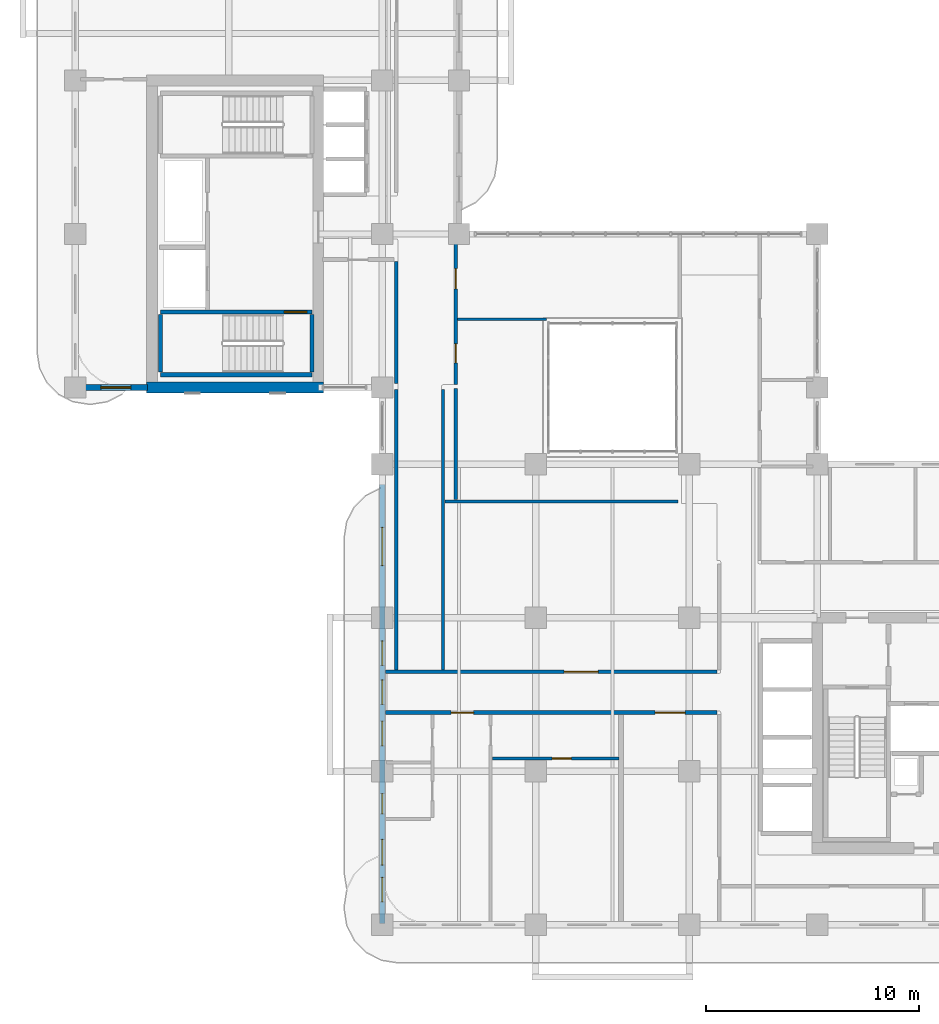
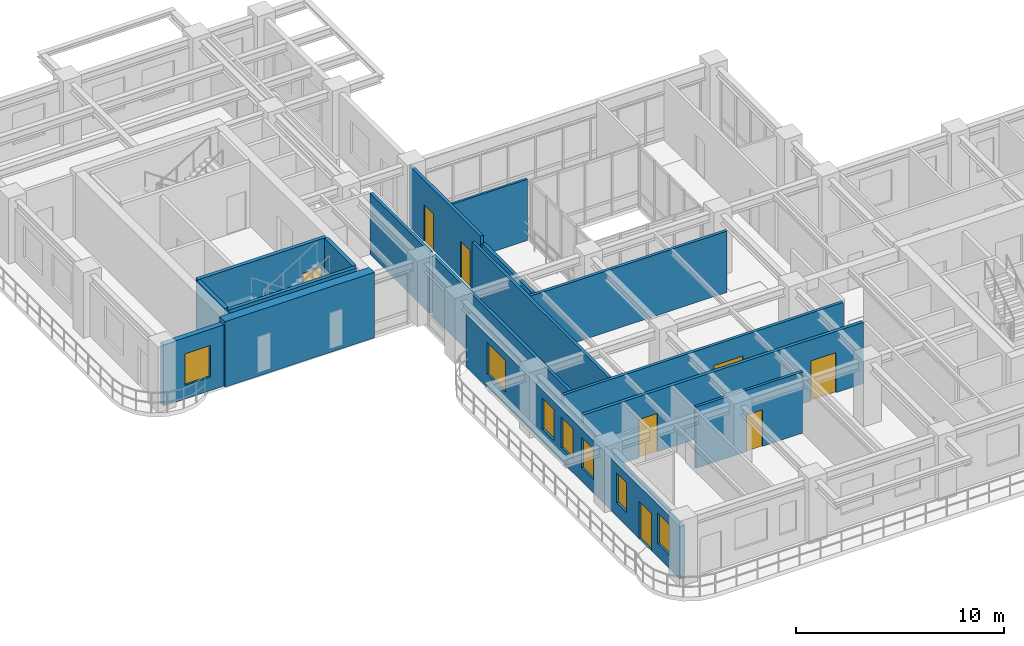
# One storey, part 11 of 19: 17 walls, 8 doors, 7 windows, 15 openings.
"""IFC4 building model written with IfcOpenShell, lengths in metres."""

from ifc_helpers import new_model, si_unit, derived_unit, direction, frame, frame_2d, origin, place, context, subcontext, project, spatial, rectangle, extrude, source, transform, mapped, material, layer, layer_set, type_object, type_shapes, element, fill, save


model = new_model("IFC4")

# Units and contexts
model_context = context("Model", 3, precision=1e-05, world=origin(), true_north=direction((0.0, 1.0)))
body_context = subcontext(model_context, "Body", "Model", "MODEL_VIEW")
ifc_project = project(units=[si_unit("LENGTHUNIT", "METRE"), si_unit("AREAUNIT", "SQUARE_METRE"), si_unit("VOLUMEUNIT", "CUBIC_METRE"), si_unit("PLANEANGLEUNIT", "RADIAN"), si_unit("MASSUNIT", "GRAM", prefix="KILO"), si_unit("THERMODYNAMICTEMPERATUREUNIT", "KELVIN"), si_unit("POWERUNIT", "WATT"), derived_unit("THERMALTRANSMITTANCEUNIT", [(si_unit("POWERUNIT", "WATT"), 1), (si_unit("AREAUNIT", "SQUARE_METRE"), -1), (si_unit("THERMODYNAMICTEMPERATUREUNIT", "KELVIN"), -1)])], contexts=[model_context])

# Site, building, storey
site_placement = place(None, origin())
site = spatial("IfcSite", under=ifc_project, at=site_placement, CompositionType="ELEMENT")
building_placement = place(site_placement, origin())
building = spatial("IfcBuilding", under=site, at=building_placement, Name="Zahravan Archway Hotel and Residences", CompositionType="ELEMENT")
storey_placement = place(building_placement, frame((0.0, 0.0, 150.300048828125)))
storey = spatial("IfcBuildingStorey", under=building, at=storey_placement, Name="L37", CompositionType="ELEMENT", Elevation=150.300048828125)

# Wall
ifc_material_1 = material(Name="Concrete C60/75", Category="concrete")
ifc_layer_1 = layer(ifc_material_1, 0.5, Name="Concrete C60/75", Category="concrete")
ifc_layer_set_1 = layer_set([ifc_layer_1], Name="Concrete C60/75")
wall_type_1 = type_object("IfcWallType", Name="CW-CORE-500", PredefinedType="SHEAR", material=ifc_layer_set_1)
wall_1_placement = place(storey_placement, frame((3.35009765625, 25.199951171875, 0.0), z_axis=(0.0, 0.0, 1.0), x_axis=(1.0, 0.0, 0.0)))
element("IfcWall", 1, at=wall_1_placement, inside=storey, type_object=wall_type_1, Name="L37 Core B Shear S Wall 500 mm", PredefinedType="SHEAR", context=body_context, shape_type="SweptSolid", body=[
    extrude(rectangle(XDim=8.2998046875, YDim=0.5, at=frame_2d((4.14990234375, 0.0))), origin(), (0.0, 0.0, 1.0), 3.849853515625),
])

# Wall, openings, door, windows
ifc_material_2 = material(Name="Honed Red-Ochre Sandstone & Insulated Block", Category="masonry")
ifc_layer_2 = layer(ifc_material_2, 0.280029296875, Name="Honed Red-Ochre Sandstone & Insulated Block", Category="masonry")
ifc_layer_set_2 = layer_set([ifc_layer_2], Name="Honed Red-Ochre Sandstone & Insulated Block")
wall_type_2 = type_object("IfcWallType", Name="EW-LOG-280", PredefinedType="SOLIDWALL", material=ifc_layer_set_2)
wall_2_placement = place(storey_placement, frame((14.39990234375, 0.050048828125, 0.0), z_axis=(0.0, 0.0, 1.0), x_axis=(0.0, 1.0, 0.0)))
wall_2 = element("IfcWall", 2, at=wall_2_placement, inside=storey, type_object=wall_type_2, Name="L37 Exterior Sandstone Wall WA-WL", PredefinedType="SOLIDWALL", context=body_context, shape_type="SweptSolid", body=[
    extrude(rectangle(XDim=20.599853515625, YDim=0.280029296875, at=frame_2d((10.2998046875, 0.0))), origin(), (0.0, 0.0, 1.0), 3.0849609375),
])
opening_1_placement = place(wall_2_placement, frame((2.75, 0.0, 0.0)))
opening_1 = element("IfcOpeningElement", 3, at=opening_1_placement, cuts=wall_2, Name="Opening ED-BL1", PredefinedType="OPENING", context=body_context, shape_type="SweptSolid", body=[
    extrude(rectangle(XDim=1.199951171875, YDim=2.199951171875, at=frame_2d((0.60009765625, 1.10009765625))), frame((0.0, 0.14990234375, 0.0), z_axis=(0.0, -1.0, 0.0), x_axis=(1.0, 0.0, 0.0)), (0.0, 0.0, 1.0), 0.300048828125),
])
opening_2_placement = place(wall_2_placement, frame((1.02490234375, 0.0, 0.800048828125)))
opening_2 = element("IfcOpeningElement", 4, at=opening_2_placement, cuts=wall_2, Name="Opening W-05", PredefinedType="OPENING", context=body_context, shape_type="SweptSolid", body=[
    extrude(rectangle(XDim=1.14990234375, YDim=1.800048828125, at=frame_2d((0.574951171875, 0.89990234375))), frame((0.0, 0.14990234375, 0.0), z_axis=(0.0, -1.0, 0.0), x_axis=(1.0, 0.0, 0.0)), (0.0, 0.0, 1.0), 0.300048828125),
])
opening_3_placement = place(wall_2_placement, frame((5.154052734375, 0.0, 0.800048828125)))
opening_3 = element("IfcOpeningElement", 5, at=opening_3_placement, cuts=wall_2, Name="Opening W-04", PredefinedType="OPENING", context=body_context, shape_type="SweptSolid", body=[
    extrude(rectangle(XDim=0.949951171875, YDim=1.75, at=frame_2d((0.47509765625, 0.875))), frame((0.0, 0.14990234375, 0.0), z_axis=(0.0, -1.0, 0.0), x_axis=(1.0, 0.0, 0.0)), (0.0, 0.0, 1.0), 0.300048828125),
])
opening_4_placement = place(wall_2_placement, frame((8.345947265625, 0.0, 0.800048828125)))
opening_4 = element("IfcOpeningElement", 6, at=opening_4_placement, cuts=wall_2, Name="Opening W-05", PredefinedType="OPENING", context=body_context, shape_type="SweptSolid", body=[
    extrude(rectangle(XDim=1.14990234375, YDim=1.800048828125, at=frame_2d((0.574951171875, 0.89990234375))), frame((0.0, 0.14990234375, 0.0), z_axis=(0.0, -1.0, 0.0), x_axis=(1.0, 0.0, 0.0)), (0.0, 0.0, 1.0), 0.300048828125),
])
opening_5_placement = place(wall_2_placement, frame((10.284912109375, 0.0, 0.800048828125)))
opening_5 = element("IfcOpeningElement", 7, at=opening_5_placement, cuts=wall_2, Name="Opening W-05", PredefinedType="OPENING", context=body_context, shape_type="SweptSolid", body=[
    extrude(rectangle(XDim=1.14990234375, YDim=1.800048828125, at=frame_2d((0.574951171875, 0.89990234375))), frame((0.0, 0.14990234375, 0.0), z_axis=(0.0, -1.0, 0.0), x_axis=(1.0, 0.0, 0.0)), (0.0, 0.0, 1.0), 0.300048828125),
])
opening_6_placement = place(wall_2_placement, frame((12.114013671875, 0.0, 0.800048828125)))
opening_6 = element("IfcOpeningElement", 8, at=opening_6_placement, cuts=wall_2, Name="Opening W-05", PredefinedType="OPENING", context=body_context, shape_type="SweptSolid", body=[
    extrude(rectangle(XDim=1.14990234375, YDim=1.800048828125, at=frame_2d((0.574951171875, 0.89990234375))), frame((0.0, 0.14990234375, 0.0), z_axis=(0.0, -1.0, 0.0), x_axis=(1.0, 0.0, 0.0)), (0.0, 0.0, 1.0), 0.300048828125),
])
opening_7_placement = place(wall_2_placement, frame((16.7900390625, 0.0, 0.800048828125)))
opening_7 = element("IfcOpeningElement", 9, at=opening_7_placement, cuts=wall_2, Name="Opening W-02", PredefinedType="OPENING", context=body_context, shape_type="SweptSolid", body=[
    extrude(rectangle(XDim=1.800048828125, YDim=1.85009765625, at=frame_2d((0.89990234375, 0.925048828125))), frame((0.0, 0.14990234375, 0.0), z_axis=(0.0, -1.0, 0.0), x_axis=(1.0, 0.0, 0.0)), (0.0, 0.0, 1.0), 0.300048828125),
])
ifc_material_3 = material(Name="Bronze-Anodized Glazed Aluminium", Category="aluminium")
door_type_1 = type_object("IfcDoorType", Name="ED-BALC-1200", OperationType="SLIDING_TO_LEFT", PredefinedType="DOOR", material=ifc_material_3)
shared_shape_1 = source(origin(), body_context, "Body", "SweptSolid", [
    extrude(rectangle(XDim=1.199951171875, YDim=2.199951171875, at=frame_2d((0.60009765625, 1.10009765625))), frame((0.0, 0.02490234375, 0.0), z_axis=(0.0, -1.0, 0.0), x_axis=(1.0, 0.0, 0.0)), (0.0, 0.0, 1.0), 0.050048828125),
])
type_shapes(door_type_1, [shared_shape_1])
door_1_placement = place(opening_1_placement, origin())
door_1 = element("IfcDoor", 10, at=door_1_placement, inside=storey, type_object=door_type_1, Name="L37 Outdoor Access Sliding Door (SLB-BAL-L37-WA)", OperationType="SLIDING_TO_LEFT", OverallHeight=2.199951171875, OverallWidth=1.199951171875, PredefinedType="DOOR", context=body_context, shape_type="MappedRepresentation", body=[
    mapped(shared_shape_1, transform((0.0, 0.0, 0.0), scale=1.0)),
])
fill(opening_1, door_1)
ifc_material_4 = material(Name="Bronze-Anodized Thermal-Break Aluminium & Low-E Glass", Category="aluminium")
window_type_1 = type_object("IfcWindowType", Name="WIN-NAR-950", PartitioningType="SINGLE_PANEL", PredefinedType="WINDOW", material=ifc_material_4)
shared_shape_2 = source(origin(), body_context, "Body", "SweptSolid", [
    extrude(rectangle(XDim=0.949951171875, YDim=1.75, at=frame_2d((0.47509765625, 0.875))), frame((0.0, 0.030029296875, 0.0), z_axis=(0.0, -1.0, 0.0), x_axis=(1.0, 0.0, 0.0)), (0.0, 0.0, 1.0), 0.06005859375),
])
type_shapes(window_type_1, [shared_shape_2])
window_1_placement = place(opening_3_placement, origin())
window_1 = element("IfcWindow", 11, at=window_1_placement, inside=storey, type_object=window_type_1, Name="L37 Loggia Window 16", OverallHeight=1.75, OverallWidth=0.949951171875, PartitioningType="SINGLE_PANEL", PredefinedType="WINDOW", context=body_context, shape_type="MappedRepresentation", body=[
    mapped(shared_shape_2, transform((0.0, 0.0, 0.0), scale=1.0)),
])
fill(opening_3, window_1)
window_type_2 = type_object("IfcWindowType", Name="WIN-TWR-1800", PartitioningType="DOUBLE_PANEL_VERTICAL", PredefinedType="WINDOW", material=ifc_material_4)
shared_shape_3 = source(origin(), body_context, "Body", "SweptSolid", [
    extrude(rectangle(XDim=1.800048828125, YDim=1.85009765625, at=frame_2d((0.89990234375, 0.925048828125))), frame((0.0, 0.030029296875, 0.0), z_axis=(0.0, -1.0, 0.0), x_axis=(1.0, 0.0, 0.0)), (0.0, 0.0, 1.0), 0.06005859375),
])
type_shapes(window_type_2, [shared_shape_3])
window_2_placement = place(opening_7_placement, origin())
window_2 = element("IfcWindow", 12, at=window_2_placement, inside=storey, type_object=window_type_2, Name="L37 Loggia Window 20", OverallHeight=1.85009765625, OverallWidth=1.800048828125, PartitioningType="DOUBLE_PANEL_VERTICAL", PredefinedType="WINDOW", context=body_context, shape_type="MappedRepresentation", body=[
    mapped(shared_shape_3, transform((0.0, 0.0, 0.0), scale=1.0)),
])
fill(opening_7, window_2)
window_type_3 = type_object("IfcWindowType", Name="WIN-TWR-1150", PartitioningType="SINGLE_PANEL", PredefinedType="WINDOW", material=ifc_material_4)
shared_shape_4 = source(origin(), body_context, "Body", "SweptSolid", [
    extrude(rectangle(XDim=1.14990234375, YDim=1.800048828125, at=frame_2d((0.574951171875, 0.89990234375))), frame((0.0, 0.030029296875, 0.0), z_axis=(0.0, -1.0, 0.0), x_axis=(1.0, 0.0, 0.0)), (0.0, 0.0, 1.0), 0.06005859375),
])
type_shapes(window_type_3, [shared_shape_4])
window_3_placement = place(opening_2_placement, origin())
window_3 = element("IfcWindow", 13, at=window_3_placement, inside=storey, type_object=window_type_3, Name="L37 Loggia Window 15", OverallHeight=1.800048828125, OverallWidth=1.14990234375, PartitioningType="SINGLE_PANEL", PredefinedType="WINDOW", context=body_context, shape_type="MappedRepresentation", body=[
    mapped(shared_shape_4, transform((0.0, 0.0, 0.0), scale=1.0)),
])
fill(opening_2, window_3)
window_4_placement = place(opening_4_placement, origin())
window_4 = element("IfcWindow", 14, at=window_4_placement, inside=storey, type_object=window_type_3, Name="L37 Loggia Window 17", OverallHeight=1.800048828125, OverallWidth=1.14990234375, PartitioningType="SINGLE_PANEL", PredefinedType="WINDOW", context=body_context, shape_type="MappedRepresentation", body=[
    mapped(shared_shape_4, transform((0.0, 0.0, 0.0), scale=1.0)),
])
fill(opening_4, window_4)
window_5_placement = place(opening_5_placement, origin())
window_5 = element("IfcWindow", 15, at=window_5_placement, inside=storey, type_object=window_type_3, Name="L37 Loggia Window 18", OverallHeight=1.800048828125, OverallWidth=1.14990234375, PartitioningType="SINGLE_PANEL", PredefinedType="WINDOW", context=body_context, shape_type="MappedRepresentation", body=[
    mapped(shared_shape_4, transform((0.0, 0.0, 0.0), scale=1.0)),
])
fill(opening_5, window_5)
window_6_placement = place(opening_6_placement, origin())
window_6 = element("IfcWindow", 16, at=window_6_placement, inside=storey, type_object=window_type_3, Name="L37 Loggia Window 19", OverallHeight=1.800048828125, OverallWidth=1.14990234375, PartitioningType="SINGLE_PANEL", PredefinedType="WINDOW", context=body_context, shape_type="MappedRepresentation", body=[
    mapped(shared_shape_4, transform((0.0, 0.0, 0.0), scale=1.0)),
])
fill(opening_6, window_6)

# Wall, opening, window
wall_3_placement = place(storey_placement, frame((0.0, 25.199951171875, 0.0), z_axis=(0.0, 0.0, 1.0), x_axis=(1.0, 0.0, 0.0)))
wall_3 = element("IfcWall", 17, at=wall_3_placement, inside=storey, type_object=wall_type_2, Name="L37 Exterior Sandstone Wall WB-SW", PredefinedType="SOLIDWALL", context=body_context, shape_type="SweptSolid", body=[
    extrude(rectangle(XDim=3.3798828125, YDim=0.280029296875, at=frame_2d((1.68994140625, 0.0))), origin(), (0.0, 0.0, 1.0), 3.599853515625),
])
opening_8_placement = place(wall_3_placement, frame((1.205078125, 0.0, 0.800048828125)))
opening_8 = element("IfcOpeningElement", 18, at=opening_8_placement, cuts=wall_3, Name="Opening W-03", PredefinedType="OPENING", context=body_context, shape_type="SweptSolid", body=[
    extrude(rectangle(XDim=1.39990234375, YDim=1.85009765625, at=frame_2d((0.699951171875, 0.925048828125))), frame((0.0, 0.14990234375, 0.0), z_axis=(0.0, -1.0, 0.0), x_axis=(1.0, 0.0, 0.0)), (0.0, 0.0, 1.0), 0.300048828125),
])
window_type_4 = type_object("IfcWindowType", Name="WIN-TWR-1400", PartitioningType="SINGLE_PANEL", PredefinedType="WINDOW", material=ifc_material_4)
shared_shape_5 = source(origin(), body_context, "Body", "SweptSolid", [
    extrude(rectangle(XDim=1.39990234375, YDim=1.85009765625, at=frame_2d((0.699951171875, 0.925048828125))), frame((0.0, 0.030029296875, 0.0), z_axis=(0.0, -1.0, 0.0), x_axis=(1.0, 0.0, 0.0)), (0.0, 0.0, 1.0), 0.06005859375),
])
type_shapes(window_type_4, [shared_shape_5])
window_7_placement = place(opening_8_placement, origin())
window_7 = element("IfcWindow", 19, at=window_7_placement, inside=storey, type_object=window_type_4, Name="L37 Loggia Window 21", OverallHeight=1.85009765625, OverallWidth=1.39990234375, PartitioningType="SINGLE_PANEL", PredefinedType="WINDOW", context=body_context, shape_type="MappedRepresentation", body=[
    mapped(shared_shape_5, transform((0.0, 0.0, 0.0), scale=1.0)),
])
fill(opening_8, window_7)

# Wall, opening, door
ifc_material_5 = material(Name="Fire-Rated Gypsum & Concrete Block", Category="concrete")
ifc_layer_3 = layer(ifc_material_5, 0.159912109375, Name="Fire-Rated Gypsum & Concrete Block", Category="concrete")
ifc_layer_set_3 = layer_set([ifc_layer_3], Name="Fire-Rated Gypsum & Concrete Block")
wall_type_3 = type_object("IfcWallType", Name="PW-CORR-160", PredefinedType="PARTITIONING", material=ifc_layer_set_3)
wall_4_placement = place(storey_placement, frame((14.548095703125, 11.8701171875, 0.0), z_axis=(0.0, 0.0, 1.0), x_axis=(1.0, 0.0, 0.0)))
wall_4 = element("IfcWall", 20, at=wall_4_placement, inside=storey, type_object=wall_type_3, Name="L37 Partition WA-CN", PredefinedType="PARTITIONING", context=body_context, shape_type="SweptSolid", body=[
    extrude(rectangle(XDim=15.56201171875, YDim=0.159912109375, at=frame_2d((7.781005859375, 0.0))), origin(), (0.0, 0.0, 1.0), 3.599853515625),
])
opening_9_placement = place(wall_4_placement, frame((8.376953125, 0.0, 0.0)))
opening_9 = element("IfcOpeningElement", 21, at=opening_9_placement, cuts=wall_4, Name="Opening D-P2", PredefinedType="OPENING", context=body_context, shape_type="SweptSolid", body=[
    extrude(rectangle(XDim=1.60009765625, YDim=2.39990234375, at=frame_2d((0.800048828125, 1.199951171875))), frame((0.0, 0.08984375, 0.0), z_axis=(0.0, -1.0, 0.0), x_axis=(1.0, 0.0, 0.0)), (0.0, 0.0, 1.0), 0.179931640625),
])
door_type_2 = type_object("IfcDoorType", Name="ID-PUBLIC-1600", OperationType="DOUBLE_DOOR_SINGLE_SWING", PredefinedType="DOOR", material=ifc_material_3)
shared_shape_6 = source(origin(), body_context, "Body", "SweptSolid", [
    extrude(rectangle(XDim=1.60009765625, YDim=2.39990234375, at=frame_2d((0.800048828125, 1.199951171875))), frame((0.0, 0.02490234375, 0.0), z_axis=(0.0, -1.0, 0.0), x_axis=(1.0, 0.0, 0.0)), (0.0, 0.0, 1.0), 0.050048828125),
])
type_shapes(door_type_2, [shared_shape_6])
door_2_placement = place(opening_9_placement, origin())
door_2 = element("IfcDoor", 22, at=door_2_placement, inside=storey, type_object=door_type_2, Name="L37 Atrium Spa Door", OperationType="DOUBLE_DOOR_SINGLE_SWING", OverallHeight=2.39990234375, OverallWidth=1.60009765625, PredefinedType="DOOR", context=body_context, shape_type="MappedRepresentation", body=[
    mapped(shared_shape_6, transform((0.0, 0.0, 0.0), scale=1.0)),
])
fill(opening_9, door_2)

# Walls
for number, where, z_axis, x_axis, name in (
    (23, (15.050048828125, 11.9599609375, 0.0), (0.0, 0.0, 1.0), (0.0, 1.0, 0.0), "L37 Partition LNK-W"),
    (24, (17.25, 11.9599609375, 0.0), (0.0, 0.0, 1.0), (0.0, 1.0, 0.0), "L37 Partition LNK-E"),
):
    element("IfcWall", number, at=place(storey_placement, frame(where, z_axis=z_axis, x_axis=x_axis)), inside=storey, type_object=wall_type_3, Name=name, PredefinedType="PARTITIONING", context=body_context, shape_type="SweptSolid", body=[
        extrude(rectangle(XDim=13.150146484375, YDim=0.159912109375, at=frame_2d((6.5751953125, 0.0))), origin(), (0.0, 0.0, 1.0), 3.599853515625),
    ])
wall_5_placement = place(storey_placement, frame((15.050048828125, 25.389892578125, 0.0), z_axis=(0.0, 0.0, 1.0), x_axis=(0.0, 1.0, 0.0)))
element("IfcWall", 25, at=wall_5_placement, inside=storey, type_object=wall_type_3, Name="L37 Partition FB1-E", PredefinedType="PARTITIONING", context=body_context, shape_type="SweptSolid", body=[
    extrude(rectangle(XDim=5.72021484375, YDim=0.159912109375, at=frame_2d((2.860107421875, 0.0))), origin(), (0.0, 0.0, 1.0), 3.599853515625),
])
wall_6_placement = place(storey_placement, frame((17.340087890625, 19.85009765625, 0.0), z_axis=(0.0, 0.0, 1.0), x_axis=(1.0, 0.0, 0.0)))
element("IfcWall", 26, at=wall_6_placement, inside=storey, type_object=wall_type_3, Name="L37 Partition ATR-S", PredefinedType="PARTITIONING", context=body_context, shape_type="SweptSolid", body=[
    extrude(rectangle(XDim=10.919921875, YDim=0.159912109375, at=frame_2d((5.4599609375, 0.0))), origin(), (0.0, 0.0, 1.0), 3.599853515625),
])

# Wall, openings, doors
ifc_layer_4 = layer(ifc_material_5, 0.179931640625, Name="Fire-Rated Gypsum & Concrete Block", Category="concrete")
ifc_layer_set_4 = layer_set([ifc_layer_4], Name="Fire-Rated Gypsum & Concrete Block")
wall_type_4 = type_object("IfcWallType", Name="PW-CORR-180", PredefinedType="PARTITIONING", material=ifc_layer_set_4)
wall_7_placement = place(storey_placement, frame((14.548095703125, 9.949951171875, 0.0), z_axis=(0.0, 0.0, 1.0), x_axis=(1.0, 0.0, 0.0)))
wall_7 = element("IfcWall", 27, at=wall_7_placement, inside=storey, type_object=wall_type_4, Name="L37 Partition WA-CS", PredefinedType="PARTITIONING", context=body_context, shape_type="SweptSolid", body=[
    extrude(rectangle(XDim=15.56201171875, YDim=0.179931640625, at=frame_2d((7.781005859375, 0.0))), origin(), (0.0, 0.0, 1.0), 3.599853515625),
])
opening_10_placement = place(wall_7_placement, frame((3.08203125, 0.0, 0.0)))
opening_10 = element("IfcOpeningElement", 28, at=opening_10_placement, cuts=wall_7, Name="Opening D-U1", PredefinedType="OPENING", context=body_context, shape_type="SweptSolid", body=[
    extrude(rectangle(XDim=1.050048828125, YDim=2.25, at=frame_2d((0.52490234375, 1.125))), frame((0.0, 0.10009765625, 0.0), z_axis=(0.0, -1.0, 0.0), x_axis=(1.0, 0.0, 0.0)), (0.0, 0.0, 1.0), 0.199951171875),
])
opening_11_placement = place(wall_7_placement, frame((12.652099609375, 0.0, 0.0)))
opening_11 = element("IfcOpeningElement", 29, at=opening_11_placement, cuts=wall_7, Name="Opening D-P1", PredefinedType="OPENING", context=body_context, shape_type="SweptSolid", body=[
    extrude(rectangle(XDim=1.39990234375, YDim=2.35009765625, at=frame_2d((0.699951171875, 1.175048828125))), frame((0.0, 0.10009765625, 0.0), z_axis=(0.0, -1.0, 0.0), x_axis=(1.0, 0.0, 0.0)), (0.0, 0.0, 1.0), 0.199951171875),
])
door_type_3 = type_object("IfcDoorType", Name="ID-PUBLIC-1400", OperationType="DOUBLE_DOOR_SINGLE_SWING", PredefinedType="DOOR", material=ifc_material_3)
shared_shape_7 = source(origin(), body_context, "Body", "SweptSolid", [
    extrude(rectangle(XDim=1.39990234375, YDim=2.35009765625, at=frame_2d((0.699951171875, 1.175048828125))), frame((0.0, 0.02490234375, 0.0), z_axis=(0.0, -1.0, 0.0), x_axis=(1.0, 0.0, 0.0)), (0.0, 0.0, 1.0), 0.050048828125),
])
type_shapes(door_type_3, [shared_shape_7])
door_3_placement = place(opening_11_placement, origin())
door_3 = element("IfcDoor", 30, at=door_3_placement, inside=storey, type_object=door_type_3, Name="L37 South Yoga Salon Door", OperationType="DOUBLE_DOOR_SINGLE_SWING", OverallHeight=2.35009765625, OverallWidth=1.39990234375, PredefinedType="DOOR", context=body_context, shape_type="MappedRepresentation", body=[
    mapped(shared_shape_7, transform((0.0, 0.0, 0.0), scale=1.0)),
])
fill(opening_11, door_3)
ifc_material_6 = material(Name="Hardwood Veneer Timber", Category="wood")
door_type_4 = type_object("IfcDoorType", Name="ID-UNIT-1050", OperationType="NOTDEFINED", PredefinedType="DOOR", material=ifc_material_6)
shared_shape_8 = source(origin(), body_context, "Body", "SweptSolid", [
    extrude(rectangle(XDim=1.050048828125, YDim=2.25, at=frame_2d((0.52490234375, 1.125))), frame((0.0, 0.02490234375, 0.0), z_axis=(0.0, -1.0, 0.0), x_axis=(1.0, 0.0, 0.0)), (0.0, 0.0, 1.0), 0.050048828125),
])
type_shapes(door_type_4, [shared_shape_8])
door_4_placement = place(opening_10_placement, origin())
door_4 = element("IfcDoor", 31, at=door_4_placement, inside=storey, type_object=door_type_4, Name="L37 Flat S1 Entrance Door", OperationType="SINGLE_SWING_RIGHT", OverallHeight=2.25, OverallWidth=1.050048828125, PredefinedType="DOOR", context=body_context, shape_type="MappedRepresentation", body=[
    mapped(shared_shape_8, transform((0.0, 0.0, 0.0), scale=1.0)),
])
fill(opening_10, door_4)

# Wall
ifc_material_7 = material(Name="Acoustic Stud Partition")
ifc_layer_5 = layer(ifc_material_7, 0.125, Name="Acoustic Stud Partition")
ifc_layer_set_5 = layer_set([ifc_layer_5], Name="Acoustic Stud Partition")
wall_type_5 = type_object("IfcWallType", Name="PW-INT-125", PredefinedType="PARTITIONING", material=ifc_layer_set_5)
wall_8_placement = place(storey_placement, frame((17.93994140625, 28.39990234375, 0.0), z_axis=(0.0, 0.0, 1.0), x_axis=(1.0, 0.0, 0.0)))
element("IfcWall", 32, at=wall_8_placement, inside=storey, type_object=wall_type_5, Name="L37 Partition ATR-NW1", PredefinedType="PARTITIONING", context=body_context, shape_type="SweptSolid", body=[
    extrude(rectangle(XDim=4.170166015625, YDim=0.125, at=frame_2d((2.0849609375, 0.0))), origin(), (0.0, 0.0, 1.0), 3.599853515625),
])

# Wall, opening, door
ifc_layer_6 = layer(ifc_material_7, 0.14990234375, Name="Acoustic Stud Partition")
ifc_layer_set_6 = layer_set([ifc_layer_6], Name="Acoustic Stud Partition")
wall_type_6 = type_object("IfcWallType", Name="PW-UNIT-150", PredefinedType="PARTITIONING", material=ifc_layer_set_6)
wall_9_placement = place(storey_placement, frame((19.570068359375, 7.800048828125, 0.0), z_axis=(0.0, 0.0, 1.0), x_axis=(1.0, 0.0, 0.0)))
wall_9 = element("IfcWall", 33, at=wall_9_placement, inside=storey, type_object=wall_type_6, Name="L37 Partition FL-S1-GH", PredefinedType="PARTITIONING", context=body_context, shape_type="SweptSolid", body=[
    extrude(rectangle(XDim=5.93994140625, YDim=0.14990234375, at=frame_2d((2.969970703125, 0.0))), origin(), (0.0, 0.0, 1.0), 3.599853515625),
])
opening_12_placement = place(wall_9_placement, frame((2.797607421875, 0.0, 0.0)))
opening_12 = element("IfcOpeningElement", 34, at=opening_12_placement, cuts=wall_9, Name="Opening D-I2", PredefinedType="OPENING", context=body_context, shape_type="SweptSolid", body=[
    extrude(rectangle(XDim=0.89990234375, YDim=2.14990234375, at=frame_2d((0.449951171875, 1.074951171875))), frame((0.0, 0.0849609375, 0.0), z_axis=(0.0, -1.0, 0.0), x_axis=(1.0, 0.0, 0.0)), (0.0, 0.0, 1.0), 0.169921875),
])
door_type_5 = type_object("IfcDoorType", Name="ID-INT-900", OperationType="NOTDEFINED", PredefinedType="DOOR", material=ifc_material_6)
shared_shape_9 = source(origin(), body_context, "Body", "SweptSolid", [
    extrude(rectangle(XDim=0.89990234375, YDim=2.14990234375, at=frame_2d((0.449951171875, 1.074951171875))), frame((0.0, 0.02490234375, 0.0), z_axis=(0.0, -1.0, 0.0), x_axis=(1.0, 0.0, 0.0)), (0.0, 0.0, 1.0), 0.050048828125),
])
type_shapes(door_type_5, [shared_shape_9])
door_5_placement = place(opening_12_placement, origin())
door_5 = element("IfcDoor", 35, at=door_5_placement, inside=storey, type_object=door_type_5, Name="L37 Flat S1 Bedroom 1 Door", OperationType="SINGLE_SWING_RIGHT", OverallHeight=2.14990234375, OverallWidth=0.89990234375, PredefinedType="DOOR", context=body_context, shape_type="MappedRepresentation", body=[
    mapped(shared_shape_9, transform((0.0, 0.0, 0.0), scale=1.0)),
])
fill(opening_12, door_5)

# Wall
ifc_layer_7 = layer(ifc_material_7, 0.169921875, Name="Acoustic Stud Partition")
ifc_layer_set_7 = layer_set([ifc_layer_7], Name="Acoustic Stud Partition")
wall_type_7 = type_object("IfcWallType", Name="PW-UNIT-170", PredefinedType="PARTITIONING", material=ifc_layer_set_7)
wall_10_placement = place(storey_placement, frame((17.85009765625, 19.93994140625, 0.0), z_axis=(0.0, 0.0, 1.0), x_axis=(0.0, 1.0, 0.0)))
element("IfcWall", 36, at=wall_10_placement, inside=storey, type_object=wall_type_7, Name="L37 Partition ATR-NWSL", PredefinedType="PARTITIONING", context=body_context, shape_type="SweptSolid", body=[
    extrude(rectangle(XDim=5.219970703125, YDim=0.169921875, at=frame_2d((2.60986328125, 0.0))), origin(), (0.0, 0.0, 1.0), 3.284912109375),
])

# Wall, openings, doors
wall_11_placement = place(storey_placement, frame((17.85009765625, 25.340087890625, 0.0), z_axis=(0.0, 0.0, 1.0), x_axis=(0.0, 1.0, 0.0)))
wall_11 = element("IfcWall", 37, at=wall_11_placement, inside=storey, type_object=wall_type_7, Name="L37 Partition ATR-W2", PredefinedType="PARTITIONING", context=body_context, shape_type="SweptSolid", body=[
    extrude(rectangle(XDim=6.869873046875, YDim=0.169921875, at=frame_2d((3.43505859375, 0.0))), origin(), (0.0, 0.0, 1.0), 3.599853515625),
])
opening_13_placement = place(wall_11_placement, frame((1.010009765625, 0.0, 0.0)))
opening_13 = element("IfcOpeningElement", 38, at=opening_13_placement, cuts=wall_11, Name="Opening D-I2", PredefinedType="OPENING", context=body_context, shape_type="SweptSolid", body=[
    extrude(rectangle(XDim=0.89990234375, YDim=2.14990234375, at=frame_2d((0.449951171875, 1.074951171875))), frame((0.0, 0.094970703125, 0.0), z_axis=(0.0, -1.0, 0.0), x_axis=(1.0, 0.0, 0.0)), (0.0, 0.0, 1.0), 0.18994140625),
])
opening_14_placement = place(wall_11_placement, frame((4.485107421875, 0.0, 0.0)))
opening_14 = element("IfcOpeningElement", 39, at=opening_14_placement, cuts=wall_11, Name="Opening D-I1", PredefinedType="OPENING", context=body_context, shape_type="SweptSolid", body=[
    extrude(rectangle(XDim=0.949951171875, YDim=2.14990234375, at=frame_2d((0.47509765625, 1.074951171875))), frame((0.0, 0.094970703125, 0.0), z_axis=(0.0, -1.0, 0.0), x_axis=(1.0, 0.0, 0.0)), (0.0, 0.0, 1.0), 0.18994140625),
])
door_type_6 = type_object("IfcDoorType", Name="ID-INT-950", OperationType="NOTDEFINED", PredefinedType="DOOR", material=ifc_material_6)
shared_shape_10 = source(origin(), body_context, "Body", "SweptSolid", [
    extrude(rectangle(XDim=0.949951171875, YDim=2.14990234375, at=frame_2d((0.47509765625, 1.074951171875))), frame((0.0, 0.02490234375, 0.0), z_axis=(0.0, -1.0, 0.0), x_axis=(1.0, 0.0, 0.0)), (0.0, 0.0, 1.0), 0.050048828125),
])
type_shapes(door_type_6, [shared_shape_10])
door_6_placement = place(opening_14_placement, origin())
door_6 = element("IfcDoor", 40, at=door_6_placement, inside=storey, type_object=door_type_6, Name="L37 Atrium North Lounge Door", OperationType="SINGLE_SWING_LEFT", OverallHeight=2.14990234375, OverallWidth=0.949951171875, PredefinedType="DOOR", context=body_context, shape_type="MappedRepresentation", body=[
    mapped(shared_shape_10, transform((0.0, 0.0, 0.0), scale=1.0)),
])
fill(opening_14, door_6)
door_7_placement = place(opening_13_placement, origin())
door_7 = element("IfcDoor", 41, at=door_7_placement, inside=storey, type_object=door_type_5, Name="L37 Atrium West Study Door", OperationType="SINGLE_SWING_LEFT", OverallHeight=2.14990234375, OverallWidth=0.89990234375, PredefinedType="DOOR", context=body_context, shape_type="MappedRepresentation", body=[
    mapped(shared_shape_9, transform((0.0, 0.0, 0.0), scale=1.0)),
])
fill(opening_13, door_7)

# Walls
ifc_material_8 = material(Name="Concrete C50/60", Category="concrete")
ifc_layer_8 = layer(ifc_material_8, 0.199951171875, Name="Concrete C50/60", Category="concrete")
ifc_layer_set_8 = layer_set([ifc_layer_8], Name="Concrete C50/60")
wall_type_8 = type_object("IfcWallType", Name="SW-STAIR-200", PredefinedType="SHEAR", material=ifc_layer_set_8)
wall_12_placement = place(storey_placement, frame((4.0, 25.800048828125, 0.0), z_axis=(0.0, 0.0, 1.0), x_axis=(1.0, 0.0, 0.0)))
element("IfcWall", 42, at=wall_12_placement, inside=storey, type_object=wall_type_8, Name="L37 Stairwell RC Wall CB-SB1S", PredefinedType="SHEAR", context=body_context, shape_type="SweptSolid", body=[
    extrude(rectangle(XDim=7.10009765625, YDim=0.199951171875, at=frame_2d((3.550048828125, 0.0))), origin(), (0.0, 0.0, 1.0), 3.849853515625),
])
for number, where, z_axis, x_axis, name in (
    (43, (4.0, 25.919921875, 0.0), (0.0, 0.0, 1.0), (0.0, 1.0, 0.0), "L37 Stairwell RC Wall CB-SB1W"),
    (44, (11.10009765625, 25.919921875, 0.0), (0.0, 0.0, 1.0), (0.0, 1.0, 0.0), "L37 Stairwell RC Wall CB-SB1E"),
):
    element("IfcWall", number, at=place(storey_placement, frame(where, z_axis=z_axis, x_axis=x_axis)), inside=storey, type_object=wall_type_8, Name=name, PredefinedType="SHEAR", context=body_context, shape_type="SweptSolid", body=[
        extrude(rectangle(XDim=2.7001953125, YDim=0.199951171875, at=frame_2d((1.35009765625, 0.0))), origin(), (0.0, 0.0, 1.0), 3.849853515625),
    ])

# Wall, opening, door
wall_13_placement = place(storey_placement, frame((4.0, 28.739990234375, 0.0), z_axis=(0.0, 0.0, 1.0), x_axis=(1.0, 0.0, 0.0)))
wall_13 = element("IfcWall", 45, at=wall_13_placement, inside=storey, type_object=wall_type_8, Name="L37 Stairwell RC Wall CB-SB1N", PredefinedType="SHEAR", context=body_context, shape_type="SweptSolid", body=[
    extrude(rectangle(XDim=7.10009765625, YDim=0.199951171875, at=frame_2d((3.550048828125, 0.0))), origin(), (0.0, 0.0, 1.0), 3.849853515625),
])
opening_15_placement = place(wall_13_placement, frame((5.81494140625, 0.0, 0.0)))
opening_15 = element("IfcOpeningElement", 46, at=opening_15_placement, cuts=wall_13, Name="Opening FD-S1", PredefinedType="OPENING", context=body_context, shape_type="SweptSolid", body=[
    extrude(rectangle(XDim=1.050048828125, YDim=2.199951171875, at=frame_2d((0.52490234375, 1.10009765625))), frame((0.0, 0.10986328125, 0.0), z_axis=(0.0, -1.0, 0.0), x_axis=(1.0, 0.0, 0.0)), (0.0, 0.0, 1.0), 0.219970703125),
])
ifc_material_9 = material(Name="Fire-Rated Painted Steel", Category="steel")
door_type_7 = type_object("IfcDoorType", Name="FD-STAIR-1100", OperationType="NOTDEFINED", PredefinedType="DOOR", material=ifc_material_9)
shared_shape_11 = source(origin(), body_context, "Body", "SweptSolid", [
    extrude(rectangle(XDim=1.050048828125, YDim=2.199951171875, at=frame_2d((0.52490234375, 1.10009765625))), frame((0.0, 0.02490234375, 0.0), z_axis=(0.0, -1.0, 0.0), x_axis=(1.0, 0.0, 0.0)), (0.0, 0.0, 1.0), 0.050048828125),
])
type_shapes(door_type_7, [shared_shape_11])
door_8_placement = place(opening_15_placement, origin())
door_8 = element("IfcDoor", 47, at=door_8_placement, inside=storey, type_object=door_type_7, Name="L37 Stair ST-B1 Door", OperationType="SINGLE_SWING_RIGHT", OverallHeight=2.199951171875, OverallWidth=1.050048828125, PredefinedType="DOOR", context=body_context, shape_type="MappedRepresentation", body=[
    mapped(shared_shape_11, transform((0.0, 0.0, 0.0), scale=1.0)),
])
fill(opening_15, door_8)

save(model, "model.ifc")
